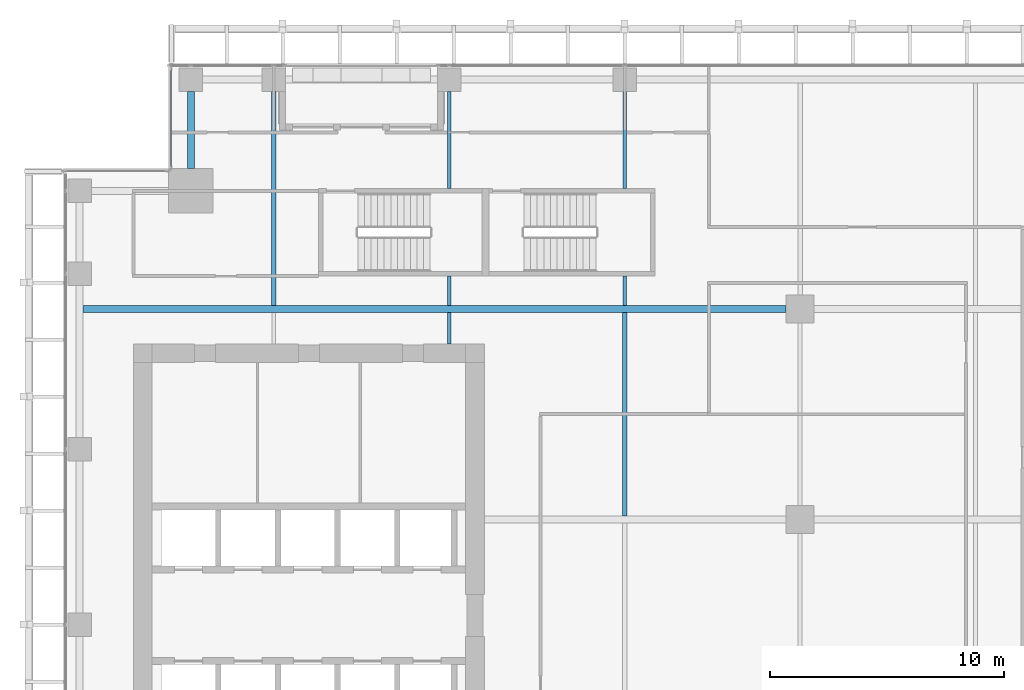
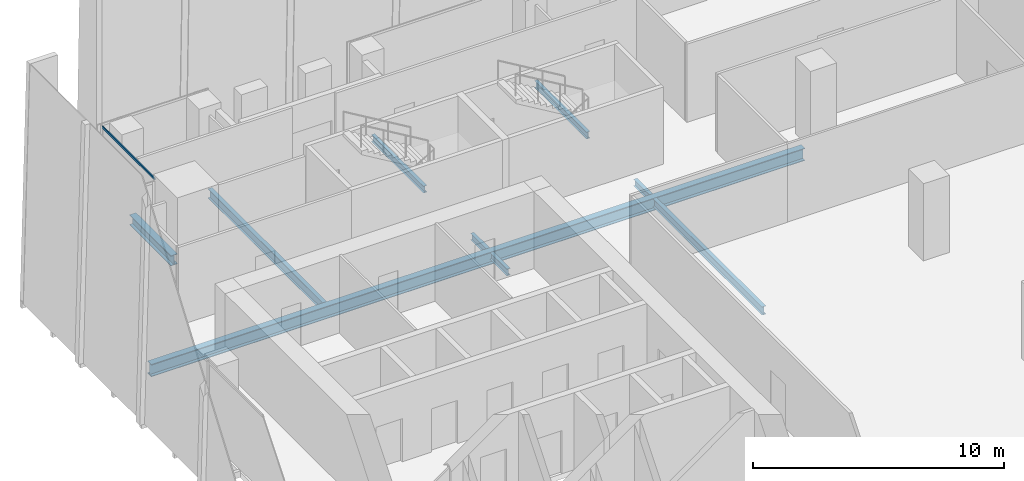
# One storey, part 15 of 35: 9 beams, 1 member, 1 element without a shape of its own.
"""IFC4 building model written with IfcOpenShell, lengths in metres."""

from ifc_helpers import new_model, si_unit, direction, frame, origin, origin_2d, place, context, subcontext, project, spatial, hollow_rectangle, i_section, extrude, source, transform, mapped, material, material_profile, profile_set, type_object, element, aggregate, save


model = new_model("IFC4")

# Units and contexts
model_context = context("Model", 3, precision=1e-05, world=origin(), true_north=direction((0.0, 1.0)))
body_context = subcontext(model_context, "Body", "Model", "MODEL_VIEW")
ifc_project = project(units=[si_unit("LENGTHUNIT", "METRE"), si_unit("AREAUNIT", "SQUARE_METRE"), si_unit("VOLUMEUNIT", "CUBIC_METRE"), si_unit("PLANEANGLEUNIT", "RADIAN"), si_unit("MASSUNIT", "GRAM", prefix="KILO")], contexts=[model_context])

# Site, building, storey
site_placement = place(None, origin())
site = spatial("IfcSite", under=ifc_project, at=site_placement, CompositionType="ELEMENT")
building_placement = place(site_placement, origin())
building = spatial("IfcBuilding", under=site, at=building_placement, Name="Khomas Fold Tower", CompositionType="ELEMENT")
storey_placement = place(building_placement, frame((0.0, 0.0, 200.699951171875)))
storey = spatial("IfcBuildingStorey", under=building, at=storey_placement, Name="L44", CompositionType="ELEMENT", Elevation=200.699951171875)

# Beams
ifc_material_1 = material(Name="Steel S355", Category="steel")
ifc_material_profile_1 = material_profile(ifc_material_1, i_section(OverallWidth=0.179931640625, OverallDepth=0.39990234375, WebThickness=0.008544921875, FlangeThickness=0.013427734375, at=origin_2d()), Name="IPE 400")
ifc_profile_set_1 = profile_set([ifc_material_profile_1], Name="Steel S355")
beam_type_1 = type_object("IfcBeamType", Name="IPE 400 beam JB3", PredefinedType="BEAM", material=ifc_profile_set_1)
shared_shape_1 = source(origin(), body_context, "Body", "SweptSolid", [
    extrude(i_section(OverallWidth=0.179931640625, OverallDepth=0.39990234375, WebThickness=0.008544921875, FlangeThickness=0.013427734375, at=origin_2d()), origin(), (0.0, 0.0, 1.0), 8.7001953125),
])
beam_1_placement = place(storey_placement, frame((27.0, 31.64990234375, -0.449951171875), z_axis=(0.0, 1.0, 0.0), x_axis=(-1.0, 0.0, 0.0)))
element("IfcBeam", 1, at=beam_1_placement, inside=storey, type_object=beam_type_1, Name="JB3", PredefinedType="BEAM", context=body_context, shape_type="MappedRepresentation", body=[
    mapped(shared_shape_1, transform((0.0, 0.0, 0.0))),
])
ifc_material_2 = material(Name="Steel S355", Category="steel")
ifc_material_profile_2 = material_profile(ifc_material_2, i_section(OverallWidth=0.159912109375, OverallDepth=0.330078125, WebThickness=0.007568359375, FlangeThickness=0.011474609375, at=origin_2d()), Name="IPE 330")
ifc_profile_set_2 = profile_set([ifc_material_profile_2], Name="Steel S355")
beam_type_2 = type_object("IfcBeamType", Name="IPE 330 beam JB1", PredefinedType="BEAM", material=ifc_profile_set_2)
shared_shape_2 = source(origin(), body_context, "Body", "SweptSolid", [
    extrude(i_section(OverallWidth=0.159912109375, OverallDepth=0.330078125, WebThickness=0.007568359375, FlangeThickness=0.011474609375, at=origin_2d()), origin(), (0.0, 0.0, 1.0), 1.25),
])
for number, where, z_axis, x_axis, name in (
    (2, (19.5, 40.64990234375, -0.4150390625), (0.0, 1.0, 0.0), (-1.0, 0.0, 0.0), "JB1"),
    (3, (27.0, 40.64990234375, -0.4150390625), (0.0, 1.0, 0.0), (-1.0, 0.0, 0.0), "JB1"),
):
    element("IfcBeam", number, at=place(storey_placement, frame(where, z_axis=z_axis, x_axis=x_axis)), inside=storey, type_object=beam_type_2, Name=name, PredefinedType="BEAM", context=body_context, shape_type="MappedRepresentation", body=[
        mapped(shared_shape_2, transform((0.0, 0.0, 0.0))),
    ])
ifc_material_3 = material(Name="Steel S355", Category="steel")
ifc_material_profile_3 = material_profile(ifc_material_3, i_section(OverallWidth=0.300048828125, OverallDepth=0.5, WebThickness=0.014404296875, FlangeThickness=0.028076171875, at=origin_2d()), Name="HE 500 B")
ifc_profile_set_3 = profile_set([ifc_material_profile_3], Name="Steel S355")
beam_type_3 = type_object("IfcBeamType", Name="HE 500 B spandrel SB3", PredefinedType="SPANDREL", material=ifc_profile_set_3)
shared_shape_3 = source(origin(), body_context, "Body", "SweptSolid", [
    extrude(i_section(OverallWidth=0.300048828125, OverallDepth=0.5, WebThickness=0.014404296875, FlangeThickness=0.028076171875, at=origin_2d()), origin(), (0.0, 0.0, 1.0), 3.300048828125),
])
beam_2_placement = place(storey_placement, frame((8.449951171875, 46.5, -0.5), z_axis=(0.0, 1.0, 0.0), x_axis=(-1.0, 0.0, 0.0)))
element("IfcBeam", 4, at=beam_2_placement, inside=storey, type_object=beam_type_3, Name="SB3", PredefinedType="SPANDREL", context=body_context, shape_type="MappedRepresentation", body=[
    mapped(shared_shape_3, transform((0.0, 0.0, 0.0))),
])
shared_shape_4 = source(origin(), body_context, "Body", "SweptSolid", [
    extrude(i_section(OverallWidth=0.159912109375, OverallDepth=0.330078125, WebThickness=0.007568359375, FlangeThickness=0.011474609375, at=origin_2d()), origin(), (0.0, 0.0, 1.0), 4.150146484375),
])
for number, where, z_axis, x_axis, name in (
    (5, (19.5, 45.64990234375, -0.4150390625), (0.0, 1.0, 0.0), (-1.0, 0.0, 0.0), "JB1"),
    (6, (27.0, 45.64990234375, -0.4150390625), (0.0, 1.0, 0.0), (-1.0, 0.0, 0.0), "JB1"),
):
    element("IfcBeam", number, at=place(storey_placement, frame(where, z_axis=z_axis, x_axis=x_axis)), inside=storey, type_object=beam_type_2, Name=name, PredefinedType="BEAM", context=body_context, shape_type="MappedRepresentation", body=[
        mapped(shared_shape_4, transform((0.0, 0.0, 0.0))),
    ])
ifc_material_4 = material(Name="Steel S355", Category="steel")
ifc_material_profile_4 = material_profile(ifc_material_4, i_section(OverallWidth=0.18994140625, OverallDepth=0.449951171875, WebThickness=0.009521484375, FlangeThickness=0.0146484375, at=origin_2d()), Name="IPE 450")
ifc_profile_set_4 = profile_set([ifc_material_profile_4], Name="Steel S355")
beam_type_4 = type_object("IfcBeamType", Name="IPE 450 beam JB4", PredefinedType="BEAM", material=ifc_profile_set_4)
shared_shape_5 = source(origin(), body_context, "Body", "SweptSolid", [
    extrude(i_section(OverallWidth=0.18994140625, OverallDepth=0.449951171875, WebThickness=0.009521484375, FlangeThickness=0.0146484375, at=origin_2d()), origin(), (0.0, 0.0, 1.0), 9.150146484375),
])
beam_3_placement = place(storey_placement, frame((12.0, 40.64990234375, -0.474853515625), z_axis=(0.0, 1.0, 0.0), x_axis=(-1.0, 0.0, 0.0)))
element("IfcBeam", 7, at=beam_3_placement, inside=storey, type_object=beam_type_4, Name="JB4", PredefinedType="BEAM", context=body_context, shape_type="MappedRepresentation", body=[
    mapped(shared_shape_5, transform((0.0, 0.0, 0.0))),
])
ifc_material_5 = material(Name="Steel S355", Category="steel")
ifc_material_profile_5 = material_profile(ifc_material_5, i_section(OverallWidth=0.300048828125, OverallDepth=0.60009765625, WebThickness=0.015380859375, FlangeThickness=0.030029296875, at=origin_2d()), Name="HE 600 B")
ifc_profile_set_5 = profile_set([ifc_material_profile_5], Name="Steel S355")
beam_type_5 = type_object("IfcBeamType", Name="HE 600 B beam GB5", PredefinedType="BEAM", material=ifc_profile_set_5)
shared_shape_6 = source(origin(), body_context, "Body", "SweptSolid", [
    extrude(i_section(OverallWidth=0.300048828125, OverallDepth=0.60009765625, WebThickness=0.015380859375, FlangeThickness=0.030029296875, at=origin_2d()), origin(), (0.0, 0.0, 1.0), 30.0498046875),
])
beam_4_placement = place(storey_placement, frame((3.85009765625, 40.5, -0.550048828125), z_axis=(1.0, 0.0, 0.0), x_axis=(0.0, 1.0, 0.0)))
element("IfcBeam", 8, at=beam_4_placement, inside=storey, type_object=beam_type_5, Name="GB5", PredefinedType="BEAM", context=body_context, shape_type="MappedRepresentation", body=[
    mapped(shared_shape_6, transform((0.0, 0.0, 0.0))),
])
shared_shape_7 = source(origin(), body_context, "Body", "SweptSolid", [
    extrude(i_section(OverallWidth=0.159912109375, OverallDepth=0.330078125, WebThickness=0.007568359375, FlangeThickness=0.011474609375, at=origin_2d()), origin(), (0.0, 0.0, 1.0), 1.35009765625),
])
beam_5_placement = place(storey_placement, frame((19.5, 39.0, -0.4150390625), z_axis=(0.0, 1.0, 0.0), x_axis=(-1.0, 0.0, 0.0)))
element("IfcBeam", 9, at=beam_5_placement, inside=storey, type_object=beam_type_2, Name="JB1", PredefinedType="BEAM", context=body_context, shape_type="MappedRepresentation", body=[
    mapped(shared_shape_7, transform((0.0, 0.0, 0.0))),
])

# Curtain wall, member
ifc_material_6 = material(Name="Aluminium framed double glazing", Category="aluminium")
curtain_wall_type = type_object("IfcCurtainWallType", Name="SK-Unitised clear-glass wall, office floors CW2", PredefinedType="NOTDEFINED", material=ifc_material_6)
curtain_wall_placement = place(storey_placement, origin())
curtain_wall = element("IfcCurtainWall", 10, at=curtain_wall_placement, inside=storey, type_object=curtain_wall_type, Name="CW2 corner return L44 07", PredefinedType="NOTDEFINED")
ifc_material_7 = material(Name="Aluminium", Category="aluminium")
ifc_material_profile_6 = material_profile(ifc_material_7, hollow_rectangle(XDim=0.050048828125, YDim=0.110107421875, WallThickness=0.00390625, at=origin_2d()), Name="SK-Unitised clear-glass wall, office floors transom CW2-T")
ifc_profile_set_6 = profile_set([ifc_material_profile_6], Name="Aluminium")
member_type = type_object("IfcMemberType", Name="SK-Unitised clear-glass wall, office floors transom CW2-T", PredefinedType="USERDEFINED", material=ifc_profile_set_6)
shared_shape_8 = source(origin(), body_context, "Body", "SweptSolid", [
    extrude(hollow_rectangle(XDim=0.050048828125, YDim=0.110107421875, WallThickness=0.00390625, at=origin_2d()), origin(), (0.0, 0.0, 1.0), 4.179931640625),
])
member_placement = place(storey_placement, frame((7.60009765625, 50.739990234375, 3.695068359375), z_axis=(0.0, -1.0, 0.0), x_axis=(1.0, 0.0, 0.0)))
member = element("IfcMember", 11, at=member_placement, type_object=member_type, Name="CW2 transom 1", ObjectType="TRANSOM", PredefinedType="USERDEFINED", context=body_context, shape_type="MappedRepresentation", body=[
    mapped(shared_shape_8, transform((0.0, 0.0, 0.0))),
])
aggregate(curtain_wall, [member])

save(model, "model.ifc")
